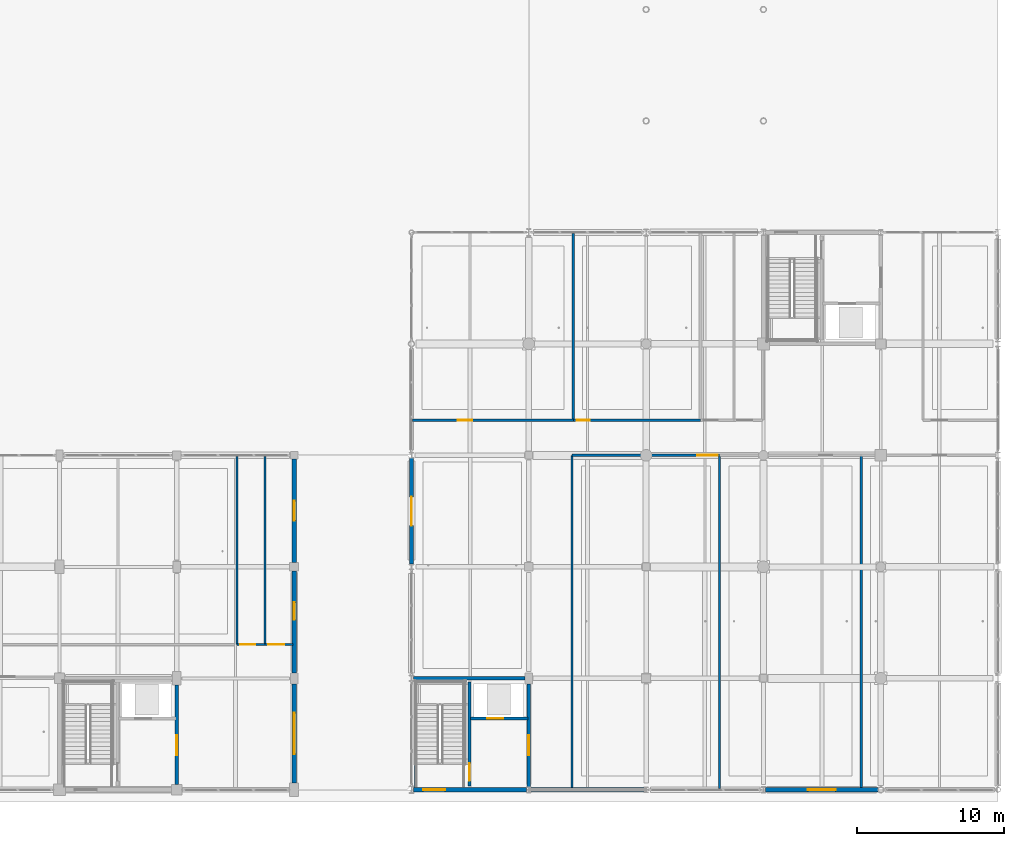
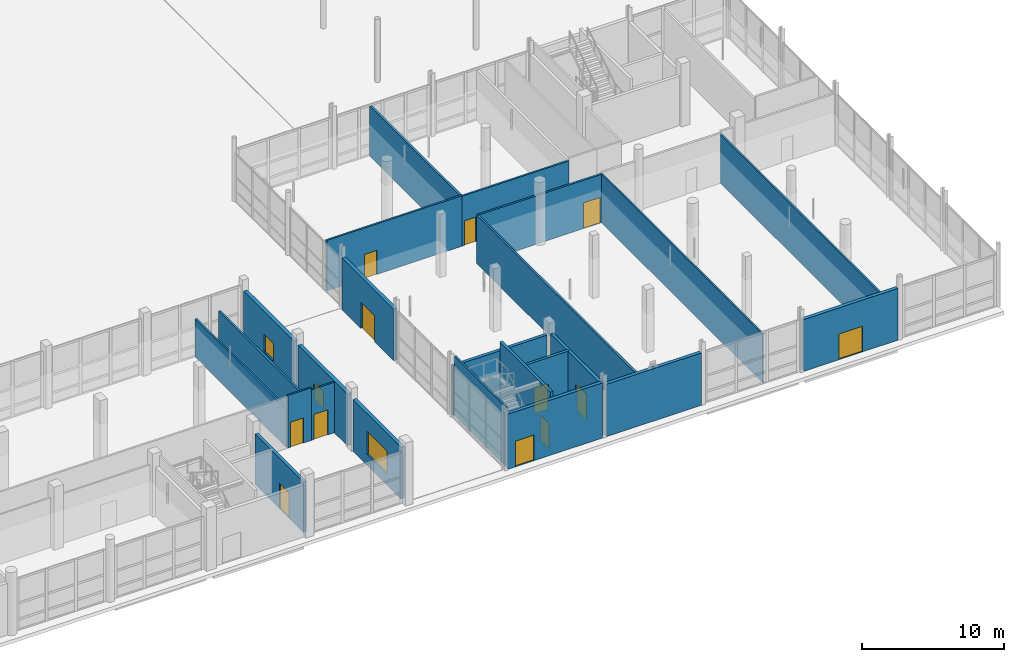
# One storey, part 67 of 126: 24 walls, 12 doors, 3 windows, 15 openings.
"""IFC4 building model written with IfcOpenShell, lengths in metres."""

from ifc_helpers import new_model, si_unit, direction, frame, frame_2d, origin, place, context, subcontext, project, spatial, rectangle, extrude, material, layer, layer_set, type_object, element, fill, save


model = new_model("IFC4")

# Units and contexts
model_context = context("Model", 3, precision=1e-05, world=origin(), true_north=direction((0.0, 1.0)))
body_context = subcontext(model_context, "Body", "Model", "MODEL_VIEW")
ifc_project = project(units=[si_unit("LENGTHUNIT", "METRE"), si_unit("AREAUNIT", "SQUARE_METRE"), si_unit("VOLUMEUNIT", "CUBIC_METRE"), si_unit("PLANEANGLEUNIT", "RADIAN"), si_unit("MASSUNIT", "GRAM", prefix="KILO")], contexts=[model_context])

# Site, building, storey
site_placement = place(None, origin())
site = spatial("IfcSite", under=ifc_project, at=site_placement, CompositionType="ELEMENT")
building_placement = place(site_placement, origin())
building = spatial("IfcBuilding", under=site, at=building_placement, Name="Khelvaren Railside Concert Hall", CompositionType="ELEMENT")
storey_placement = place(building_placement, origin())
storey = spatial("IfcBuildingStorey", under=building, at=storey_placement, Name="L00", CompositionType="ELEMENT", Elevation=0.0)

# Walls
ifc_material_1 = material(Name="Concrete C40/50", Category="concrete")
ifc_layer_1 = layer(ifc_material_1, 0.139892578125)
ifc_layer_set_1 = layer_set([ifc_layer_1], Name="Concrete C40/50")
wall_type_1 = type_object("IfcWallType", Name="CW17", PredefinedType="SOLIDWALL", material=ifc_layer_set_1)
wall_1_placement = place(storey_placement, frame((144.27490234375, 0.14990234375, 0.0), z_axis=(0.0, 0.0, 1.0), x_axis=(0.0, 1.0, 0.0)))
element("IfcWall", 1, at=wall_1_placement, inside=storey, type_object=wall_type_1, Name="Core Shaft Structural Liner Wall ST-03-L00", PredefinedType="SOLIDWALL", context=body_context, shape_type="SweptSolid", body=[
    extrude(rectangle(XDim=7.300048828125, YDim=0.139892578125, at=frame_2d((3.64990234375, 0.0))), origin(), (0.0, 0.0, 1.0), 5.10009765625),
])
ifc_layer_2 = layer(ifc_material_1, 0.25)
ifc_layer_set_2 = layer_set([ifc_layer_2], Name="Concrete C40/50")
wall_type_2 = type_object("IfcWallType", Name="CW82", PredefinedType="SOLIDWALL", material=ifc_layer_set_2)
wall_2_placement = place(storey_placement, frame((144.14990234375, 7.60009765625, 0.0), z_axis=(0.0, 0.0, 1.0), x_axis=(1.0, 0.0, 0.0)))
element("IfcWall", 2, at=wall_2_placement, inside=storey, type_object=wall_type_2, Name="Core Enclosure Wall CWALL-ST-03-L00-N", PredefinedType="SOLIDWALL", context=body_context, shape_type="SweptSolid", body=[
    extrude(rectangle(XDim=7.60009765625, YDim=0.25, at=frame_2d((3.800048828125, 0.0))), origin(), (0.0, 0.0, 1.0), 4.235107421875),
])

# Wall, opening, door
wall_3_placement = place(storey_placement, frame((152.0, 0.199951171875, 0.0), z_axis=(0.0, 0.0, 1.0), x_axis=(0.0, 1.0, 0.0)))
wall_3 = element("IfcWall", 3, at=wall_3_placement, inside=storey, type_object=wall_type_2, Name="Core Enclosure Wall CWALL-ST-03-L00-E", PredefinedType="SOLIDWALL", context=body_context, shape_type="SweptSolid", body=[
    extrude(rectangle(XDim=7.025146484375, YDim=0.25, at=frame_2d((3.5126953125, 0.0))), origin(), (0.0, 0.0, 1.0), 4.455078125),
])
opening_1_placement = place(wall_3_placement, frame((2.14990234375, 0.0, 0.0)))
opening_1 = element("IfcOpeningElement", 4, at=opening_1_placement, cuts=wall_3, Name="Opening FDR34", PredefinedType="OPENING", context=body_context, shape_type="SweptSolid", body=[
    extrude(rectangle(XDim=1.35009765625, YDim=2.199951171875, at=frame_2d((0.675048828125, 1.10009765625))), frame((0.0, 0.135009765625, 0.0), z_axis=(0.0, -1.0, 0.0), x_axis=(1.0, 0.0, 0.0)), (0.0, 0.0, 1.0), 0.27001953125),
])
ifc_material_2 = material(Name="Acoustic fire-rated timber-core steel frame door", Category="steel")
door_type_1 = type_object("IfcDoorType", Name="FDR34", OperationType="NOTDEFINED", PredefinedType="DOOR", material=ifc_material_2)
door_1_placement = place(opening_1_placement, origin())
door_1 = element("IfcDoor", 5, at=door_1_placement, inside=storey, type_object=door_type_1, Name="Interior Door DR-ST-03-L00-LOB", OperationType="SINGLE_SWING_LEFT", OverallHeight=2.199951171875, OverallWidth=1.35009765625, PredefinedType="DOOR", context=body_context, shape_type="SweptSolid", body=[
    extrude(rectangle(XDim=1.35009765625, YDim=2.199951171875, at=frame_2d((0.675048828125, 1.10009765625))), frame((0.0, 0.02490234375, 0.0), z_axis=(0.0, -1.0, 0.0), x_axis=(1.0, 0.0, 0.0)), (0.0, 0.0, 1.0), 0.050048828125),
])
fill(opening_1, door_1)

wall_4_placement = place(storey_placement, frame((128.0, 0.35009765625, 0.0), z_axis=(0.0, 0.0, 1.0), x_axis=(0.0, 1.0, 0.0)))
wall_4 = element("IfcWall", 6, at=wall_4_placement, inside=storey, type_object=wall_type_2, Name="Core Enclosure Wall CWALL-ST-06-L00-E", PredefinedType="SOLIDWALL", context=body_context, shape_type="SweptSolid", body=[
    extrude(rectangle(XDim=6.7998046875, YDim=0.25, at=frame_2d((3.39990234375, 0.0))), origin(), (0.0, 0.0, 1.0), 4.324951171875),
])
opening_2_placement = place(wall_4_placement, frame((2.0, 0.0, 0.0)))
opening_2 = element("IfcOpeningElement", 7, at=opening_2_placement, cuts=wall_4, Name="Opening FDR34", PredefinedType="OPENING", context=body_context, shape_type="SweptSolid", body=[
    extrude(rectangle(XDim=1.35009765625, YDim=2.199951171875, at=frame_2d((0.675048828125, 1.10009765625))), frame((0.0, 0.135009765625, 0.0), z_axis=(0.0, -1.0, 0.0), x_axis=(1.0, 0.0, 0.0)), (0.0, 0.0, 1.0), 0.27001953125),
])
door_2_placement = place(opening_2_placement, origin())
door_2 = element("IfcDoor", 8, at=door_2_placement, inside=storey, type_object=door_type_1, Name="Interior Door DR-ST-06-L00-LOB", OperationType="SINGLE_SWING_LEFT", OverallHeight=2.199951171875, OverallWidth=1.35009765625, PredefinedType="DOOR", context=body_context, shape_type="SweptSolid", body=[
    extrude(rectangle(XDim=1.35009765625, YDim=2.199951171875, at=frame_2d((0.675048828125, 1.10009765625))), frame((0.0, 0.02490234375, 0.0), z_axis=(0.0, -1.0, 0.0), x_axis=(1.0, 0.0, 0.0)), (0.0, 0.0, 1.0), 0.050048828125),
])
fill(opening_2, door_2)

ifc_layer_3 = layer(ifc_material_1, 0.219970703125)
ifc_layer_set_3 = layer_set([ifc_layer_3], Name="Concrete C40/50")
wall_type_3 = type_object("IfcWallType", Name="CW97", PredefinedType="SOLIDWALL", material=ifc_layer_set_3)
wall_5_placement = place(storey_placement, frame((147.949951171875, 0.25, 0.0), z_axis=(0.0, 0.0, 1.0), x_axis=(0.0, 1.0, 0.0)))
wall_5 = element("IfcWall", 9, at=wall_5_placement, inside=storey, type_object=wall_type_3, Name="Core Enclosure Wall CWALL-ST-03-L00-MID", PredefinedType="SOLIDWALL", context=body_context, shape_type="SweptSolid", body=[
    extrude(rectangle(XDim=7.10009765625, YDim=0.219970703125, at=frame_2d((3.550048828125, 0.0))), origin(), (0.0, 0.0, 1.0), 5.10009765625),
])
opening_3_placement = place(wall_5_placement, frame((0.35009765625, 0.0, 0.0)))
opening_3 = element("IfcOpeningElement", 10, at=opening_3_placement, cuts=wall_5, Name="Opening FDR17", PredefinedType="OPENING", context=body_context, shape_type="SweptSolid", body=[
    extrude(rectangle(XDim=1.199951171875, YDim=2.14990234375, at=frame_2d((0.60009765625, 1.074951171875))), frame((0.0, 0.119873046875, 0.0), z_axis=(0.0, -1.0, 0.0), x_axis=(1.0, 0.0, 0.0)), (0.0, 0.0, 1.0), 0.239990234375),
])
door_type_2 = type_object("IfcDoorType", Name="FDR17", OperationType="NOTDEFINED", PredefinedType="DOOR", material=ifc_material_2)
door_3_placement = place(opening_3_placement, origin())
door_3 = element("IfcDoor", 11, at=door_3_placement, inside=storey, type_object=door_type_2, Name="Interior Door DR-ST-03-L00-ST", OperationType="SINGLE_SWING_RIGHT", OverallHeight=2.14990234375, OverallWidth=1.199951171875, PredefinedType="DOOR", context=body_context, shape_type="SweptSolid", body=[
    extrude(rectangle(XDim=1.199951171875, YDim=2.14990234375, at=frame_2d((0.60009765625, 1.074951171875))), frame((0.0, 0.02490234375, 0.0), z_axis=(0.0, -1.0, 0.0), x_axis=(1.0, 0.0, 0.0)), (0.0, 0.0, 1.0), 0.050048828125),
])
fill(opening_3, door_3)

wall_6_placement = place(storey_placement, frame((148.02001953125, 4.85009765625, 0.0), z_axis=(0.0, 0.0, 1.0), x_axis=(1.0, 0.0, 0.0)))
wall_6 = element("IfcWall", 12, at=wall_6_placement, inside=storey, type_object=wall_type_3, Name="Core Enclosure Wall CWALL-ST-03-L00-SHF", PredefinedType="SOLIDWALL", context=body_context, shape_type="SweptSolid", body=[
    extrude(rectangle(XDim=3.929931640625, YDim=0.219970703125, at=frame_2d((1.96484375, 0.0))), origin(), (0.0, 0.0, 1.0), 4.47509765625),
])
opening_4_placement = place(wall_6_placement, frame((1.14990234375, 0.0, 0.0)))
opening_4 = element("IfcOpeningElement", 13, at=opening_4_placement, cuts=wall_6, Name="Opening LD-PL-02", PredefinedType="OPENING", context=body_context, shape_type="SweptSolid", body=[
    extrude(rectangle(XDim=1.10009765625, YDim=2.199951171875, at=frame_2d((0.550048828125, 1.10009765625))), frame((0.0, 0.119873046875, 0.0), z_axis=(0.0, -1.0, 0.0), x_axis=(1.0, 0.0, 0.0)), (0.0, 0.0, 1.0), 0.239990234375),
])
ifc_material_3 = material(Name="Fire-rated brushed stainless steel landing door", Category="steel")
door_type_3 = type_object("IfcDoorType", Name="LD96", OperationType="DOUBLE_DOOR_SLIDING", PredefinedType="DOOR", material=ifc_material_3)
door_4_placement = place(opening_4_placement, origin())
door_4 = element("IfcDoor", 14, at=door_4_placement, inside=storey, type_object=door_type_3, Name="Lift Landing Door LD-PL-02-L00", OperationType="DOUBLE_DOOR_SLIDING", OverallHeight=2.199951171875, OverallWidth=1.10009765625, PredefinedType="DOOR", context=body_context, shape_type="SweptSolid", body=[
    extrude(rectangle(XDim=1.10009765625, YDim=2.199951171875, at=frame_2d((0.550048828125, 1.10009765625))), frame((0.0, 0.02490234375, 0.0), z_axis=(0.0, -1.0, 0.0), x_axis=(1.0, 0.0, 0.0)), (0.0, 0.0, 1.0), 0.050048828125),
])
fill(opening_4, door_4)

ifc_material_4 = material(Name="Board-marked architectural concrete C40/50", Category="concrete")
ifc_layer_4 = layer(ifc_material_4, 0.280029296875)
ifc_layer_set_4 = layer_set([ifc_layer_4], Name="Board-marked architectural concrete C40/50")
wall_type_4 = type_object("IfcWallType", Name="EW17", PredefinedType="SOLIDWALL", material=ifc_layer_set_4)
wall_7_placement = place(storey_placement, frame((151.85009765625, 0.0, 0.0), z_axis=(0.0, 0.0, 1.0), x_axis=(-1.0, 0.0, 0.0)))
wall_7 = element("IfcWall", 15, at=wall_7_placement, inside=storey, type_object=wall_type_4, Name="V2 L00 Exterior Concrete Wall S-144", PredefinedType="SOLIDWALL", context=body_context, shape_type="SweptSolid", body=[
    extrude(rectangle(XDim=7.7001953125, YDim=0.280029296875, at=frame_2d((3.85009765625, 0.0))), origin(), (0.0, 0.0, 1.0), 4.72998046875),
])
opening_5_placement = place(wall_7_placement, frame((5.550048828125, 0.0, 0.0)))
opening_5 = element("IfcOpeningElement", 16, at=opening_5_placement, cuts=wall_7, Name="Opening E-ST03", PredefinedType="OPENING", context=body_context, shape_type="SweptSolid", body=[
    extrude(rectangle(XDim=1.5, YDim=2.199951171875, at=frame_2d((0.75, 1.10009765625))), frame((0.0, 0.14990234375, 0.0), z_axis=(0.0, -1.0, 0.0), x_axis=(1.0, 0.0, 0.0)), (0.0, 0.0, 1.0), 0.300048828125),
])
ifc_material_5 = material(Name="Acoustic thermally broken steel exit door", Category="steel")
door_type_4 = type_object("IfcDoorType", Name="EDR82", OperationType="NOTDEFINED", PredefinedType="DOOR", material=ifc_material_5)
door_5_placement = place(opening_5_placement, origin())
door_5 = element("IfcDoor", 17, at=door_5_placement, inside=storey, type_object=door_type_4, Name="Final Stair Exit Door E-ST03", OperationType="SINGLE_SWING_LEFT", OverallHeight=2.199951171875, OverallWidth=1.5, PredefinedType="DOOR", context=body_context, shape_type="SweptSolid", body=[
    extrude(rectangle(XDim=1.5, YDim=2.199951171875, at=frame_2d((0.75, 1.10009765625))), frame((0.0, 0.02490234375, 0.0), z_axis=(0.0, -1.0, 0.0), x_axis=(1.0, 0.0, 0.0)), (0.0, 0.0, 1.0), 0.050048828125),
])
fill(opening_5, door_5)

# Wall
wall_8_placement = place(storey_placement, frame((159.85009765625, 0.0, 0.0), z_axis=(0.0, 0.0, 1.0), x_axis=(-1.0, 0.0, 0.0)))
element("IfcWall", 18, at=wall_8_placement, inside=storey, type_object=wall_type_4, Name="V2 L00 Exterior Concrete Wall S-152", PredefinedType="SOLIDWALL", context=body_context, shape_type="SweptSolid", body=[
    extrude(rectangle(XDim=7.7001953125, YDim=0.280029296875, at=frame_2d((3.85009765625, 0.0))), origin(), (0.0, 0.0, 1.0), 4.489990234375),
])

# Wall, opening, door
wall_9_placement = place(storey_placement, frame((175.796875, 0.0, 0.0), z_axis=(0.0, 0.0, 1.0), x_axis=(-1.0, 0.0, 0.0)))
wall_9 = element("IfcWall", 19, at=wall_9_placement, inside=storey, type_object=wall_type_4, Name="V2 L00 Exterior Concrete Wall S-168", PredefinedType="SOLIDWALL", context=body_context, shape_type="SweptSolid", body=[
    extrude(rectangle(XDim=7.64697265625, YDim=0.280029296875, at=frame_2d((3.823486328125, 0.0))), origin(), (0.0, 0.0, 1.0), 4.43994140625),
])
opening_6_placement = place(wall_9_placement, frame((2.873291015625, 0.0, 0.0)))
opening_6 = element("IfcOpeningElement", 20, at=opening_6_placement, cuts=wall_9, Name="Opening E-V2-02", PredefinedType="OPENING", context=body_context, shape_type="SweptSolid", body=[
    extrude(rectangle(XDim=1.89990234375, YDim=2.199951171875, at=frame_2d((0.949951171875, 1.10009765625))), frame((0.0, 0.14990234375, 0.0), z_axis=(0.0, -1.0, 0.0), x_axis=(1.0, 0.0, 0.0)), (0.0, 0.0, 1.0), 0.300048828125),
])
ifc_material_6 = material(Name="Anodised bronze glazed entrance door", Category="aluminium")
door_type_5 = type_object("IfcDoorType", Name="EDR25", OperationType="NOTDEFINED", PredefinedType="DOOR", material=ifc_material_6)
door_6_placement = place(opening_6_placement, origin())
door_6 = element("IfcDoor", 21, at=door_6_placement, inside=storey, type_object=door_type_5, Name="Public Entrance Exit Door E-V2-02", OperationType="SINGLE_SWING_RIGHT", OverallHeight=2.199951171875, OverallWidth=1.89990234375, PredefinedType="DOOR", context=body_context, shape_type="SweptSolid", body=[
    extrude(rectangle(XDim=1.89990234375, YDim=2.199951171875, at=frame_2d((0.949951171875, 1.10009765625))), frame((0.0, 0.02490234375, 0.0), z_axis=(0.0, -1.0, 0.0), x_axis=(1.0, 0.0, 0.0)), (0.0, 0.0, 1.0), 0.050048828125),
])
fill(opening_6, door_6)

wall_10_placement = place(storey_placement, frame((144.0, 15.3798828125, 0.0), z_axis=(0.0, 0.0, 1.0), x_axis=(0.0, 1.0, 0.0)))
wall_10 = element("IfcWall", 22, at=wall_10_placement, inside=storey, type_object=wall_type_4, Name="V2 L00 Exterior Concrete Wall W-15", PredefinedType="SOLIDWALL", context=body_context, shape_type="SweptSolid", body=[
    extrude(rectangle(XDim=7.22509765625, YDim=0.280029296875, at=frame_2d((3.612548828125, 0.0))), origin(), (0.0, 0.0, 1.0), 4.43994140625),
])
opening_7_placement = place(wall_10_placement, frame((2.637451171875, 0.0, 0.0)))
opening_7 = element("IfcOpeningElement", 23, at=opening_7_placement, cuts=wall_10, Name="Opening E-V2-01", PredefinedType="OPENING", context=body_context, shape_type="SweptSolid", body=[
    extrude(rectangle(XDim=1.949951171875, YDim=2.25, at=frame_2d((0.97509765625, 1.125))), frame((0.0, 0.14990234375, 0.0), z_axis=(0.0, -1.0, 0.0), x_axis=(1.0, 0.0, 0.0)), (0.0, 0.0, 1.0), 0.300048828125),
])
door_type_6 = type_object("IfcDoorType", Name="EDR69", OperationType="NOTDEFINED", PredefinedType="DOOR", material=ifc_material_6)
door_7_placement = place(opening_7_placement, origin())
door_7 = element("IfcDoor", 24, at=door_7_placement, inside=storey, type_object=door_type_6, Name="Public Entrance Exit Door E-V2-01", OperationType="SINGLE_SWING_LEFT", OverallHeight=2.25, OverallWidth=1.949951171875, PredefinedType="DOOR", context=body_context, shape_type="SweptSolid", body=[
    extrude(rectangle(XDim=1.949951171875, YDim=2.25, at=frame_2d((0.97509765625, 1.125))), frame((0.0, 0.02490234375, 0.0), z_axis=(0.0, -1.0, 0.0), x_axis=(1.0, 0.0, 0.0)), (0.0, 0.0, 1.0), 0.050048828125),
])
fill(opening_7, door_7)

# Wall, opening, window
ifc_layer_5 = layer(ifc_material_4, 0.2900390625)
ifc_layer_set_5 = layer_set([ifc_layer_5], Name="Board-marked architectural concrete C40/50")
wall_type_5 = type_object("IfcWallType", Name="EW77", PredefinedType="SOLIDWALL", material=ifc_layer_set_5)
wall_11_placement = place(storey_placement, frame((136.0, 7.22509765625, 0.0), z_axis=(0.0, 0.0, 1.0), x_axis=(0.0, -1.0, 0.0)))
wall_11 = element("IfcWall", 25, at=wall_11_placement, inside=storey, type_object=wall_type_5, Name="V3 L00 Exterior Concrete Wall E-0", PredefinedType="SOLIDWALL", context=body_context, shape_type="SweptSolid", body=[
    extrude(rectangle(XDim=6.775146484375, YDim=0.2900390625, at=frame_2d((3.3876953125, 0.0))), origin(), (0.0, 0.0, 1.0), 4.43994140625),
])
opening_8_placement = place(wall_11_placement, frame((1.987548828125, 0.0, 0.949951171875)))
opening_8 = element("IfcOpeningElement", 26, at=opening_8_placement, cuts=wall_11, Name="Opening WN18", PredefinedType="OPENING", context=body_context, shape_type="SweptSolid", body=[
    extrude(rectangle(XDim=2.800048828125, YDim=1.949951171875, at=frame_2d((1.39990234375, 0.97509765625))), frame((0.0, 0.155029296875, 0.0), z_axis=(0.0, -1.0, 0.0), x_axis=(1.0, 0.0, 0.0)), (0.0, 0.0, 1.0), 0.31005859375),
])
ifc_material_7 = material(Name="Triple-glazed acoustic aluminium window", Category="aluminium")
window_type_1 = type_object("IfcWindowType", Name="WN18", PartitioningType="DOUBLE_PANEL_VERTICAL", PredefinedType="WINDOW", material=ifc_material_7)
window_1_placement = place(opening_8_placement, origin())
window_1 = element("IfcWindow", 27, at=window_1_placement, inside=storey, type_object=window_type_1, Name="Acoustic Facade Window EW-V3-L00-E-0", OverallHeight=1.949951171875, OverallWidth=2.800048828125, PartitioningType="DOUBLE_PANEL_VERTICAL", PredefinedType="WINDOW", context=body_context, shape_type="SweptSolid", body=[
    extrude(rectangle(XDim=2.800048828125, YDim=1.949951171875, at=frame_2d((1.39990234375, 0.97509765625))), frame((0.0, 0.030029296875, 0.0), z_axis=(0.0, -1.0, 0.0), x_axis=(1.0, 0.0, 0.0)), (0.0, 0.0, 1.0), 0.06005859375),
])
fill(opening_8, window_1)

wall_12_placement = place(storey_placement, frame((136.0, 14.89990234375, 0.0), z_axis=(0.0, 0.0, 1.0), x_axis=(0.0, -1.0, 0.0)))
wall_12 = element("IfcWall", 28, at=wall_12_placement, inside=storey, type_object=wall_type_5, Name="V3 L00 Exterior Concrete Wall E-8", PredefinedType="SOLIDWALL", context=body_context, shape_type="SweptSolid", body=[
    extrude(rectangle(XDim=6.9248046875, YDim=0.2900390625, at=frame_2d((3.46240234375, 0.0))), origin(), (0.0, 0.0, 1.0), 4.43994140625),
])
opening_9_placement = place(wall_12_placement, frame((2.125, 0.0, 0.949951171875)))
opening_9 = element("IfcOpeningElement", 29, at=opening_9_placement, cuts=wall_12, Name="Opening WN35", PredefinedType="OPENING", context=body_context, shape_type="SweptSolid", body=[
    extrude(rectangle(XDim=1.199951171875, YDim=1.5, at=frame_2d((0.60009765625, 0.75))), frame((0.0, 0.155029296875, 0.0), z_axis=(0.0, -1.0, 0.0), x_axis=(1.0, 0.0, 0.0)), (0.0, 0.0, 1.0), 0.31005859375),
])
window_type_2 = type_object("IfcWindowType", Name="WN35", PartitioningType="SINGLE_PANEL", PredefinedType="WINDOW", material=ifc_material_7)
window_2_placement = place(opening_9_placement, origin())
window_2 = element("IfcWindow", 30, at=window_2_placement, inside=storey, type_object=window_type_2, Name="Acoustic Facade Window EW-V3-L00-E-8", OverallHeight=1.5, OverallWidth=1.199951171875, PartitioningType="SINGLE_PANEL", PredefinedType="WINDOW", context=body_context, shape_type="SweptSolid", body=[
    extrude(rectangle(XDim=1.199951171875, YDim=1.5, at=frame_2d((0.60009765625, 0.75))), frame((0.0, 0.030029296875, 0.0), z_axis=(0.0, -1.0, 0.0), x_axis=(1.0, 0.0, 0.0)), (0.0, 0.0, 1.0), 0.06005859375),
])
fill(opening_9, window_2)

wall_13_placement = place(storey_placement, frame((136.0, 22.550048828125, 0.0), z_axis=(0.0, 0.0, 1.0), x_axis=(0.0, -1.0, 0.0)))
wall_13 = element("IfcWall", 31, at=wall_13_placement, inside=storey, type_object=wall_type_5, Name="V3 L00 Exterior Concrete Wall E-15", PredefinedType="SOLIDWALL", context=body_context, shape_type="SweptSolid", body=[
    extrude(rectangle(XDim=7.050048828125, YDim=0.2900390625, at=frame_2d((3.52490234375, 0.0))), origin(), (0.0, 0.0, 1.0), 4.43994140625),
])
opening_10_placement = place(wall_13_placement, frame((2.85009765625, 0.0, 0.949951171875)))
opening_10 = element("IfcOpeningElement", 32, at=opening_10_placement, cuts=wall_13, Name="Opening WN88", PredefinedType="OPENING", context=body_context, shape_type="SweptSolid", body=[
    extrude(rectangle(XDim=1.35009765625, YDim=1.5, at=frame_2d((0.675048828125, 0.75))), frame((0.0, 0.155029296875, 0.0), z_axis=(0.0, -1.0, 0.0), x_axis=(1.0, 0.0, 0.0)), (0.0, 0.0, 1.0), 0.31005859375),
])
window_type_3 = type_object("IfcWindowType", Name="WN88", PartitioningType="SINGLE_PANEL", PredefinedType="WINDOW", material=ifc_material_7)
window_3_placement = place(opening_10_placement, origin())
window_3 = element("IfcWindow", 33, at=window_3_placement, inside=storey, type_object=window_type_3, Name="Acoustic Facade Window EW-V3-L00-E-15", OverallHeight=1.5, OverallWidth=1.35009765625, PartitioningType="SINGLE_PANEL", PredefinedType="WINDOW", context=body_context, shape_type="SweptSolid", body=[
    extrude(rectangle(XDim=1.35009765625, YDim=1.5, at=frame_2d((0.675048828125, 0.75))), frame((0.0, 0.030029296875, 0.0), z_axis=(0.0, -1.0, 0.0), x_axis=(1.0, 0.0, 0.0)), (0.0, 0.0, 1.0), 0.06005859375),
])
fill(opening_10, window_3)

# Wall, opening, door
ifc_material_8 = material(Name="Acoustic double-stud gypsum partition", Category="gypsum")
ifc_layer_6 = layer(ifc_material_8, 0.159912109375)
ifc_layer_set_6 = layer_set([ifc_layer_6], Name="Acoustic double-stud gypsum partition")
wall_type_6 = type_object("IfcWallType", Name="PT19", PredefinedType="PARTITIONING", material=ifc_layer_set_6)
wall_14_placement = place(storey_placement, frame((154.949951171875, 22.800048828125, 0.0), z_axis=(0.0, 0.0, 1.0), x_axis=(1.0, 0.0, 0.0)))
wall_14 = element("IfcWall", 34, at=wall_14_placement, inside=storey, type_object=wall_type_6, Name="Acoustic Partition Wall PW-V2-L00-S-C01", PredefinedType="PARTITIONING", context=body_context, shape_type="SweptSolid", body=[
    extrude(rectangle(XDim=10.05908203125, YDim=0.159912109375, at=frame_2d((5.029541015625, 0.0))), origin(), (0.0, 0.0, 1.0), 4.139892578125),
])
opening_11_placement = place(wall_14_placement, frame((8.5390625, 0.0, 0.0)))
opening_11 = element("IfcOpeningElement", 35, at=opening_11_placement, cuts=wall_14, Name="Opening IDR82", PredefinedType="OPENING", context=body_context, shape_type="SweptSolid", body=[
    extrude(rectangle(XDim=1.3798828125, YDim=2.199951171875, at=frame_2d((0.68994140625, 1.10009765625))), frame((0.0, 0.08984375, 0.0), z_axis=(0.0, -1.0, 0.0), x_axis=(1.0, 0.0, 0.0)), (0.0, 0.0, 1.0), 0.179931640625),
])
ifc_material_9 = material(Name="Solid oak acoustic studio door", Category="wood")
door_type_7 = type_object("IfcDoorType", Name="IDR82", OperationType="NOTDEFINED", PredefinedType="DOOR", material=ifc_material_9)
door_8_placement = place(opening_11_placement, origin())
door_8 = element("IfcDoor", 36, at=door_8_placement, inside=storey, type_object=door_type_7, Name="Interior Door DR-V2-L00-S-01", OperationType="SINGLE_SWING_LEFT", OverallHeight=2.199951171875, OverallWidth=1.3798828125, PredefinedType="DOOR", context=body_context, shape_type="SweptSolid", body=[
    extrude(rectangle(XDim=1.3798828125, YDim=2.199951171875, at=frame_2d((0.68994140625, 1.10009765625))), frame((0.0, 0.02490234375, 0.0), z_axis=(0.0, -1.0, 0.0), x_axis=(1.0, 0.0, 0.0)), (0.0, 0.0, 1.0), 0.050048828125),
])
fill(opening_11, door_8)

# Walls
wall_15_placement = place(storey_placement, frame((154.949951171875, 0.080078125, 0.0), z_axis=(0.0, 0.0, 1.0), x_axis=(0.0, 1.0, 0.0)))
element("IfcWall", 37, at=wall_15_placement, inside=storey, type_object=wall_type_6, Name="Acoustic Partition Wall PW-V2-L00-S-W0", PredefinedType="PARTITIONING", context=body_context, shape_type="SweptSolid", body=[
    extrude(rectangle(XDim=22.719970703125, YDim=0.159912109375, at=frame_2d((11.35986328125, 0.0))), origin(), (0.0, 0.0, 1.0), 4.139892578125),
])
ifc_layer_7 = layer(ifc_material_8, 0.139892578125)
ifc_layer_set_7 = layer_set([ifc_layer_7], Name="Acoustic double-stud gypsum partition")
wall_type_7 = type_object("IfcWallType", Name="PT41", PredefinedType="PARTITIONING", material=ifc_layer_set_7)
wall_16_placement = place(storey_placement, frame((174.666015625, 0.080078125, 0.0), z_axis=(0.0, 0.0, 1.0), x_axis=(0.0, 1.0, 0.0)))
element("IfcWall", 38, at=wall_16_placement, inside=storey, type_object=wall_type_7, Name="Acoustic Partition Wall PW-V2-L00-S-D02", PredefinedType="PARTITIONING", context=body_context, shape_type="SweptSolid", body=[
    extrude(rectangle(XDim=22.719970703125, YDim=0.139892578125, at=frame_2d((11.35986328125, 0.0))), origin(), (0.0, 0.0, 1.0), 4.175048828125),
])
wall_17_placement = place(storey_placement, frame((132.096923828125, 9.89990234375, 0.0), z_axis=(0.0, 0.0, 1.0), x_axis=(0.0, 1.0, 0.0)))
element("IfcWall", 39, at=wall_17_placement, inside=storey, type_object=wall_type_7, Name="Acoustic Partition Wall PW-V3-L00-N-D03", PredefinedType="PARTITIONING", context=body_context, shape_type="SweptSolid", body=[
    extrude(rectangle(XDim=12.820068359375, YDim=0.139892578125, at=frame_2d((6.41015625, 0.0))), origin(), (0.0, 0.0, 1.0), 3.2900390625),
])
ifc_layer_8 = layer(ifc_material_8, 0.179931640625)
ifc_layer_set_8 = layer_set([ifc_layer_8], Name="Acoustic double-stud gypsum partition")
wall_type_8 = type_object("IfcWallType", Name="PT53", PredefinedType="PARTITIONING", material=ifc_layer_set_8)
wall_18_placement = place(storey_placement, frame((155.032958984375, 25.199951171875, 0.0), z_axis=(0.0, 0.0, 1.0), x_axis=(0.0, 1.0, 0.0)))
element("IfcWall", 40, at=wall_18_placement, inside=storey, type_object=wall_type_8, Name="Acoustic Partition Wall PW-V2-L00-N-D01", PredefinedType="PARTITIONING", context=body_context, shape_type="SweptSolid", body=[
    extrude(rectangle(XDim=12.719970703125, YDim=0.179931640625, at=frame_2d((6.35986328125, 0.0))), origin(), (0.0, 0.0, 1.0), 4.27490234375),
])

# Wall, opening, door
ifc_layer_9 = layer(ifc_material_8, 0.139892578125)
ifc_layer_set_9 = layer_set([ifc_layer_9], Name="Acoustic double-stud gypsum partition")
wall_type_9 = type_object("IfcWallType", Name="PT55", PredefinedType="PARTITIONING", material=ifc_layer_set_9)
wall_19_placement = place(storey_placement, frame((132.096923828125, 9.89990234375, 0.0), z_axis=(0.0, 0.0, 1.0), x_axis=(1.0, 0.0, 0.0)))
wall_19 = element("IfcWall", 41, at=wall_19_placement, inside=storey, type_object=wall_type_9, Name="Acoustic Partition Wall PW-V3-L00-N-C04", PredefinedType="PARTITIONING", context=body_context, shape_type="SweptSolid", body=[
    extrude(rectangle(XDim=1.912109375, YDim=0.139892578125, at=frame_2d((0.9560546875, 0.0))), origin(), (0.0, 0.0, 1.0), 4.5),
])
opening_12_placement = place(wall_19_placement, frame((0.219970703125, 0.0, 0.0)))
opening_12 = element("IfcOpeningElement", 42, at=opening_12_placement, cuts=wall_19, Name="Opening IDR24", PredefinedType="OPENING", context=body_context, shape_type="SweptSolid", body=[
    extrude(rectangle(XDim=1.0400390625, YDim=2.14990234375, at=frame_2d((0.52001953125, 1.074951171875))), frame((0.0, 0.079833984375, 0.0), z_axis=(0.0, -1.0, 0.0), x_axis=(1.0, 0.0, 0.0)), (0.0, 0.0, 1.0), 0.159912109375),
])
door_type_8 = type_object("IfcDoorType", Name="IDR24", OperationType="NOTDEFINED", PredefinedType="DOOR", material=ifc_material_9)
door_9_placement = place(opening_12_placement, origin())
door_9 = element("IfcDoor", 43, at=door_9_placement, inside=storey, type_object=door_type_8, Name="Interior Door DR-V3-L00-N-04", OperationType="SINGLE_SWING_RIGHT", OverallHeight=2.14990234375, OverallWidth=1.0400390625, PredefinedType="DOOR", context=body_context, shape_type="SweptSolid", body=[
    extrude(rectangle(XDim=1.0400390625, YDim=2.14990234375, at=frame_2d((0.52001953125, 1.074951171875))), frame((0.0, 0.02490234375, 0.0), z_axis=(0.0, -1.0, 0.0), x_axis=(1.0, 0.0, 0.0)), (0.0, 0.0, 1.0), 0.050048828125),
])
fill(opening_12, door_9)

wall_20_placement = place(storey_placement, frame((134.009033203125, 9.89990234375, 0.0), z_axis=(0.0, 0.0, 1.0), x_axis=(1.0, 0.0, 0.0)))
wall_20 = element("IfcWall", 44, at=wall_20_placement, inside=storey, type_object=wall_type_9, Name="Acoustic Partition Wall PW-V3-L00-N-C05", PredefinedType="PARTITIONING", context=body_context, shape_type="SweptSolid", body=[
    extrude(rectangle(XDim=1.910888671875, YDim=0.139892578125, at=frame_2d((0.95556640625, 0.0))), origin(), (0.0, 0.0, 1.0), 4.324951171875),
])
opening_13_placement = place(wall_20_placement, frame((0.219970703125, 0.0, 0.0)))
opening_13 = element("IfcOpeningElement", 45, at=opening_13_placement, cuts=wall_20, Name="Opening IDR45", PredefinedType="OPENING", context=body_context, shape_type="SweptSolid", body=[
    extrude(rectangle(XDim=1.10009765625, YDim=2.14990234375, at=frame_2d((0.550048828125, 1.074951171875))), frame((0.0, 0.079833984375, 0.0), z_axis=(0.0, -1.0, 0.0), x_axis=(1.0, 0.0, 0.0)), (0.0, 0.0, 1.0), 0.159912109375),
])
door_type_9 = type_object("IfcDoorType", Name="IDR45", OperationType="NOTDEFINED", PredefinedType="DOOR", material=ifc_material_9)
door_10_placement = place(opening_13_placement, origin())
door_10 = element("IfcDoor", 46, at=door_10_placement, inside=storey, type_object=door_type_9, Name="Interior Door DR-V3-L00-N-05", OperationType="SINGLE_SWING_LEFT", OverallHeight=2.14990234375, OverallWidth=1.10009765625, PredefinedType="DOOR", context=body_context, shape_type="SweptSolid", body=[
    extrude(rectangle(XDim=1.10009765625, YDim=2.14990234375, at=frame_2d((0.550048828125, 1.074951171875))), frame((0.0, 0.02490234375, 0.0), z_axis=(0.0, -1.0, 0.0), x_axis=(1.0, 0.0, 0.0)), (0.0, 0.0, 1.0), 0.050048828125),
])
fill(opening_13, door_10)

ifc_layer_10 = layer(ifc_material_8, 0.14990234375)
ifc_layer_set_10 = layer_set([ifc_layer_10], Name="Acoustic double-stud gypsum partition")
wall_type_10 = type_object("IfcWallType", Name="PT72", PredefinedType="PARTITIONING", material=ifc_layer_set_10)
wall_21_placement = place(storey_placement, frame((144.080078125, 25.199951171875, 0.0), z_axis=(0.0, 0.0, 1.0), x_axis=(1.0, 0.0, 0.0)))
wall_21 = element("IfcWall", 47, at=wall_21_placement, inside=storey, type_object=wall_type_10, Name="Acoustic Partition Wall PW-V2-L00-N-C01", PredefinedType="PARTITIONING", context=body_context, shape_type="SweptSolid", body=[
    extrude(rectangle(XDim=10.952880859375, YDim=0.14990234375, at=frame_2d((5.4765625, 0.0))), origin(), (0.0, 0.0, 1.0), 4.324951171875),
])
opening_14_placement = place(wall_21_placement, frame((3.073974609375, 0.0, 0.0)))
opening_14 = element("IfcOpeningElement", 48, at=opening_14_placement, cuts=wall_21, Name="Opening IDR23", PredefinedType="OPENING", context=body_context, shape_type="SweptSolid", body=[
    extrude(rectangle(XDim=0.97998046875, YDim=2.050048828125, at=frame_2d((0.489990234375, 1.02490234375))), frame((0.0, 0.0849609375, 0.0), z_axis=(0.0, -1.0, 0.0), x_axis=(1.0, 0.0, 0.0)), (0.0, 0.0, 1.0), 0.169921875),
])
door_type_10 = type_object("IfcDoorType", Name="IDR23", OperationType="NOTDEFINED", PredefinedType="DOOR", material=ifc_material_9)
door_11_placement = place(opening_14_placement, origin())
door_11 = element("IfcDoor", 49, at=door_11_placement, inside=storey, type_object=door_type_10, Name="Interior Door DR-V2-L00-N-01", OperationType="SINGLE_SWING_RIGHT", OverallHeight=2.050048828125, OverallWidth=0.97998046875, PredefinedType="DOOR", context=body_context, shape_type="SweptSolid", body=[
    extrude(rectangle(XDim=0.97998046875, YDim=2.050048828125, at=frame_2d((0.489990234375, 1.02490234375))), frame((0.0, 0.02490234375, 0.0), z_axis=(0.0, -1.0, 0.0), x_axis=(1.0, 0.0, 0.0)), (0.0, 0.0, 1.0), 0.050048828125),
])
fill(opening_14, door_11)

wall_22_placement = place(storey_placement, frame((155.032958984375, 25.199951171875, 0.0), z_axis=(0.0, 0.0, 1.0), x_axis=(1.0, 0.0, 0.0)))
wall_22 = element("IfcWall", 50, at=wall_22_placement, inside=storey, type_object=wall_type_10, Name="Acoustic Partition Wall PW-V2-L00-N-C02", PredefinedType="PARTITIONING", context=body_context, shape_type="SweptSolid", body=[
    extrude(rectangle(XDim=8.679931640625, YDim=0.14990234375, at=frame_2d((4.33984375, 0.0))), origin(), (0.0, 0.0, 1.0), 4.27490234375),
])
opening_15_placement = place(wall_22_placement, frame((0.219970703125, 0.0, 0.0)))
opening_15 = element("IfcOpeningElement", 51, at=opening_15_placement, cuts=wall_22, Name="Opening IDR56", PredefinedType="OPENING", context=body_context, shape_type="SweptSolid", body=[
    extrude(rectangle(XDim=0.89990234375, YDim=2.10009765625, at=frame_2d((0.449951171875, 1.050048828125))), frame((0.0, 0.0849609375, 0.0), z_axis=(0.0, -1.0, 0.0), x_axis=(1.0, 0.0, 0.0)), (0.0, 0.0, 1.0), 0.169921875),
])
door_type_11 = type_object("IfcDoorType", Name="IDR56", OperationType="NOTDEFINED", PredefinedType="DOOR", material=ifc_material_9)
door_12_placement = place(opening_15_placement, origin())
door_12 = element("IfcDoor", 52, at=door_12_placement, inside=storey, type_object=door_type_11, Name="Interior Door DR-V2-L00-N-02", OperationType="SINGLE_SWING_LEFT", OverallHeight=2.10009765625, OverallWidth=0.89990234375, PredefinedType="DOOR", context=body_context, shape_type="SweptSolid", body=[
    extrude(rectangle(XDim=0.89990234375, YDim=2.10009765625, at=frame_2d((0.449951171875, 1.050048828125))), frame((0.0, 0.02490234375, 0.0), z_axis=(0.0, -1.0, 0.0), x_axis=(1.0, 0.0, 0.0)), (0.0, 0.0, 1.0), 0.050048828125),
])
fill(opening_15, door_12)

# Walls
ifc_layer_11 = layer(ifc_material_8, 0.1201171875)
ifc_layer_set_11 = layer_set([ifc_layer_11], Name="Acoustic double-stud gypsum partition")
wall_type_11 = type_object("IfcWallType", Name="PT74", PredefinedType="PARTITIONING", material=ifc_layer_set_11)
wall_23_placement = place(storey_placement, frame((165.009033203125, 0.080078125, 0.0), z_axis=(0.0, 0.0, 1.0), x_axis=(0.0, 1.0, 0.0)))
element("IfcWall", 53, at=wall_23_placement, inside=storey, type_object=wall_type_11, Name="Acoustic Partition Wall PW-V2-L00-S-D01", PredefinedType="PARTITIONING", context=body_context, shape_type="SweptSolid", body=[
    extrude(rectangle(XDim=22.719970703125, YDim=0.1201171875, at=frame_2d((11.35986328125, 0.0))), origin(), (0.0, 0.0, 1.0), 4.175048828125),
])
ifc_layer_12 = layer(ifc_material_8, 0.159912109375)
ifc_layer_set_12 = layer_set([ifc_layer_12], Name="Acoustic double-stud gypsum partition")
wall_type_12 = type_object("IfcWallType", Name="PT97", PredefinedType="PARTITIONING", material=ifc_layer_set_12)
wall_24_placement = place(storey_placement, frame((134.009033203125, 9.89990234375, 0.0), z_axis=(0.0, 0.0, 1.0), x_axis=(0.0, 1.0, 0.0)))
element("IfcWall", 54, at=wall_24_placement, inside=storey, type_object=wall_type_12, Name="Acoustic Partition Wall PW-V3-L00-N-D04", PredefinedType="PARTITIONING", context=body_context, shape_type="SweptSolid", body=[
    extrude(rectangle(XDim=12.820068359375, YDim=0.159912109375, at=frame_2d((6.41015625, 0.0))), origin(), (0.0, 0.0, 1.0), 3.2900390625),
])

save(model, "model.ifc")
